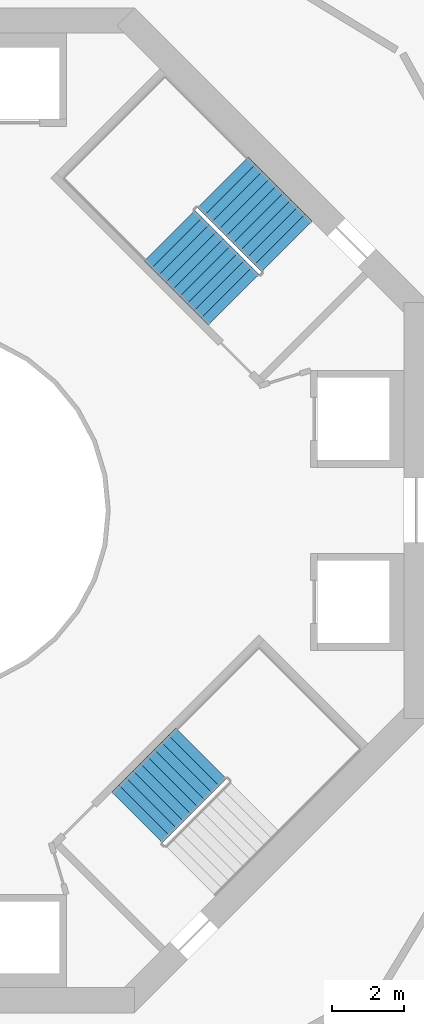
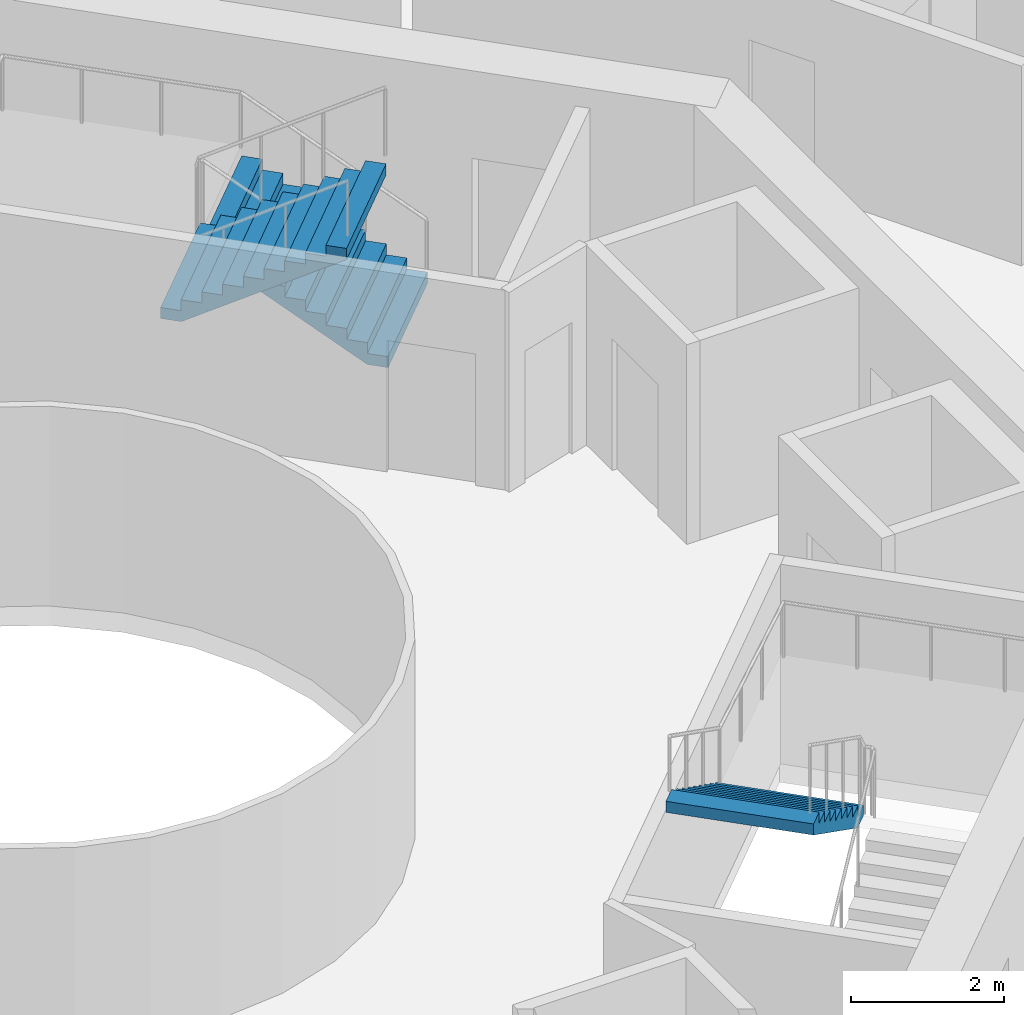
# One storey, part 21 of 22: 3 stair flights, 2 elements without a shape of their own.
"""IFC4 building model written with IfcOpenShell, lengths in metres."""

from ifc_helpers import new_model, si_unit, direction, frame, origin, place, context, subcontext, project, spatial, triangles, material, type_object, element, aggregate, save


model = new_model("IFC4")

# Units and contexts
model_context = context("Model", 3, precision=1e-05, world=origin(), true_north=direction((0.0, 1.0)))
body_context = subcontext(model_context, "Body", "Model", "MODEL_VIEW")
ifc_project = project(units=[si_unit("LENGTHUNIT", "METRE"), si_unit("AREAUNIT", "SQUARE_METRE"), si_unit("VOLUMEUNIT", "CUBIC_METRE"), si_unit("PLANEANGLEUNIT", "RADIAN"), si_unit("MASSUNIT", "GRAM", prefix="KILO")], contexts=[model_context])

# Site, building, storey
site_placement = place(None, origin())
site = spatial("IfcSite", under=ifc_project, at=site_placement, CompositionType="ELEMENT")
building_placement = place(site_placement, origin())
building = spatial("IfcBuilding", under=site, at=building_placement, Name="Verdalira Terraces Hotel", CompositionType="ELEMENT")
storey_placement = place(building_placement, frame((0.0, 0.0, 150.5)))
storey = spatial("IfcBuildingStorey", under=building, at=storey_placement, Name="L36", CompositionType="ELEMENT", Elevation=150.5)

# Stair, stair flights
ifc_material_1 = material(Name="Concrete C40", Category="concrete")
stair_type = type_object("IfcStairType", Name="Core stair 20 risers 2000 mm wide", PredefinedType="HALF_TURN_STAIR", material=ifc_material_1)
stair_1_placement = place(storey_placement, origin())
stair_1 = element("IfcStair", 1, at=stair_1_placement, inside=storey, type_object=stair_type, Name="L36 Exit stair ST1", PredefinedType="HALF_TURN_STAIR")
ifc_material_2 = material(Name="Concrete C40", Category="concrete")
stair_flight_type = type_object("IfcStairFlightType", Name="Core stair flight 20 risers 2000 mm wide", PredefinedType="STRAIGHT", material=ifc_material_2)
stair_flight_1_placement = place(storey_placement, frame((10.041016, 7.354004, 0.0), z_axis=(0.0, 0.0, 1.0), x_axis=(-0.707106781, 0.707106781, 0.0)))
stair_flight_1 = element("IfcStairFlight", 2, at=stair_flight_1_placement, type_object=stair_flight_type, Name="ST1 flight 1", NumberOfRisers=10, NumberOfTreads=9, PredefinedType="STRAIGHT", RiserHeight=0.175, TreadLength=0.28, context=body_context, shape_type="Tessellation", body=[
    triangles([(0.0, 1.0, 0.0), (0.282715, 1.0, 0.0), (2.52002, 1.0, 1.398193), (0.0, -1.0, 0.0), (0.282715, -1.0, 0.0), (2.52002, -1.0, 1.398193), (2.52002, 1.0, 1.574951), (2.23999, 1.0, 1.574951), (2.52002, -1.0, 1.574951), (2.23999, -1.0, 1.574951), (2.23999, 1.0, 1.399902), (2.23999, -1.0, 1.399902), (1.959961, 1.0, 1.399902), (1.959961, -1.0, 1.399902), (1.959961, 1.0, 1.225098), (1.959961, -1.0, 1.225098), (1.679932, 1.0, 1.225098), (1.679932, 1.0, 1.050049), (1.679932, -1.0, 1.225098), (1.679932, -1.0, 1.050049), (1.399902, 1.0, 1.050049), (1.399902, 1.0, 0.875), (1.399902, -1.0, 1.050049), (1.399902, -1.0, 0.875), (1.120117, 1.0, 0.875), (1.120117, 1.0, 0.699951), (1.120117, -1.0, 0.875), (1.120117, -1.0, 0.699951), (0.840088, 1.0, 0.699951), (0.840088, 1.0, 0.524902), (0.840088, -1.0, 0.699951), (0.840088, -1.0, 0.524902), (0.560059, 1.0, 0.524902), (0.560059, 1.0, 0.350098), (0.560059, -1.0, 0.524902), (0.560059, -1.0, 0.350098), (0.280029, 1.0, 0.350098), (0.280029, 1.0, 0.175049), (0.280029, -1.0, 0.350098), (0.280029, -1.0, 0.175049), (0.0, 1.0, 0.175049), (0.0, -1.0, 0.175049), (0.0, -0.9375, 0.0), (0.0, -0.9375, 0.175049), (0.0, -0.875, 0.0), (0.0, -0.875, 0.175049), (0.0, -0.8125, 0.0), (0.0, -0.8125, 0.175049), (0.0, -0.75, 0.0), (0.0, -0.75, 0.175049), (0.0, -0.6875, 0.0), (0.0, -0.6875, 0.175049), (0.0, -0.625, 0.0), (0.0, -0.625, 0.175049), (0.0, -0.5625, 0.0), (0.0, -0.5625, 0.175049), (0.0, -0.5, 0.0), (0.0, -0.5, 0.175049), (0.0, -0.4375, 0.0), (0.0, -0.4375, 0.175049), (0.0, -0.375, 0.0), (0.0, -0.375, 0.175049), (0.0, -0.3125, 0.0), (0.0, -0.3125, 0.175049), (0.0, -0.25, 0.0), (0.0, -0.25, 0.175049), (0.0, -0.1875, 0.0), (0.0, -0.1875, 0.175049), (0.0, -0.125, 0.0), (0.0, -0.125, 0.175049), (0.0, -0.0625, 0.0), (0.0, -0.0625, 0.175049), (0.0, 0.0, 0.0), (0.0, 0.0, 0.175049), (0.0, 0.0625, 0.0), (0.0, 0.0625, 0.175049), (0.0, 0.125, 0.0), (0.0, 0.125, 0.175049), (0.0, 0.1875, 0.0), (0.0, 0.1875, 0.175049), (0.0, 0.25, 0.0), (0.0, 0.25, 0.175049), (0.0, 0.3125, 0.0), (0.0, 0.3125, 0.175049), (0.0, 0.375, 0.0), (0.0, 0.375, 0.175049), (0.0, 0.4375, 0.0), (0.0, 0.4375, 0.175049), (0.0, 0.5, 0.0), (0.0, 0.5, 0.175049), (0.0, 0.5625, 0.0), (0.0, 0.5625, 0.175049), (0.0, 0.625, 0.0), (0.0, 0.625, 0.175049), (0.0, 0.6875, 0.0), (0.0, 0.6875, 0.175049), (0.0, 0.75, 0.0), (0.0, 0.75, 0.175049), (0.0, 0.8125, 0.0), (0.0, 0.8125, 0.175049), (0.0, 0.875, 0.0), (0.0, 0.875, 0.175049), (0.0, 0.9375, 0.0), (0.0, 0.9375, 0.175049), (2.52002, -0.9375, 1.574951), (2.52002, -0.875, 1.574951), (2.52002, -0.8125, 1.574951), (2.52002, -0.75, 1.574951), (2.52002, -0.6875, 1.574951), (2.52002, -0.625, 1.574951), (2.52002, -0.5625, 1.574951), (2.52002, -0.5, 1.574951), (2.52002, -0.4375, 1.574951), (2.52002, -0.375, 1.574951), (2.52002, -0.3125, 1.574951), (2.52002, -0.25, 1.574951), (2.52002, -0.1875, 1.574951), (2.52002, -0.125, 1.574951), (2.52002, -0.0625, 1.574951), (2.52002, 0.0, 1.574951), (2.52002, 0.0625, 1.574951), (2.52002, 0.125, 1.574951), (2.52002, 0.1875, 1.574951), (2.52002, 0.25, 1.574951), (2.52002, 0.3125, 1.574951), (2.52002, 0.375, 1.574951), (2.52002, 0.4375, 1.574951), (2.52002, 0.5, 1.574951), (2.52002, 0.5625, 1.574951), (2.52002, 0.625, 1.574951), (2.52002, 0.6875, 1.574951), (2.52002, 0.75, 1.574951), (2.52002, 0.8125, 1.574951), (2.52002, 0.875, 1.574951), (2.52002, 0.9375, 1.574951), (2.52002, -0.9375, 1.398193), (2.52002, -0.875, 1.398193), (2.52002, -0.8125, 1.398193), (2.52002, -0.75, 1.398193), (2.52002, -0.6875, 1.398193), (2.52002, -0.625, 1.398193), (2.52002, -0.5625, 1.398193), (2.52002, -0.5, 1.398193), (2.52002, -0.4375, 1.398193), (2.52002, -0.375, 1.398193), (2.52002, -0.3125, 1.398193), (2.52002, -0.25, 1.398193), (2.52002, -0.1875, 1.398193), (2.52002, -0.125, 1.398193), (2.52002, -0.0625, 1.398193), (2.52002, 0.0, 1.398193), (2.52002, 0.0625, 1.398193), (2.52002, 0.125, 1.398193), (2.52002, 0.1875, 1.398193), (2.52002, 0.25, 1.398193), (2.52002, 0.3125, 1.398193), (2.52002, 0.375, 1.398193), (2.52002, 0.4375, 1.398193), (2.52002, 0.5, 1.398193), (2.52002, 0.5625, 1.398193), (2.52002, 0.625, 1.398193), (2.52002, 0.6875, 1.398193), (2.52002, 0.75, 1.398193), (2.52002, 0.8125, 1.398193), (2.52002, 0.875, 1.398193), (2.52002, 0.9375, 1.398193)], [[1, 3, 2], [4, 5, 6], [3, 8, 7], [6, 9, 10], [3, 11, 8], [6, 10, 12], [3, 13, 11], [6, 12, 14], [3, 15, 13], [6, 14, 16], [15, 18, 17], [16, 19, 20], [3, 18, 15], [6, 16, 20], [18, 22, 21], [20, 23, 24], [3, 22, 18], [6, 20, 24], [22, 26, 25], [24, 27, 28], [3, 26, 22], [6, 24, 28], [26, 30, 29], [28, 31, 32], [3, 30, 26], [6, 28, 32], [1, 30, 3], [4, 6, 32], [30, 34, 33], [32, 35, 36], [34, 38, 37], [36, 39, 40], [30, 38, 34], [32, 36, 40], [1, 38, 30], [4, 32, 40], [38, 1, 41], [40, 42, 4], [4, 44, 43], [4, 42, 44], [43, 46, 45], [43, 44, 46], [45, 48, 47], [45, 46, 48], [47, 50, 49], [47, 48, 50], [49, 52, 51], [49, 50, 52], [51, 54, 53], [51, 52, 54], [53, 56, 55], [53, 54, 56], [55, 58, 57], [55, 56, 58], [57, 60, 59], [57, 58, 60], [59, 62, 61], [59, 60, 62], [61, 64, 63], [61, 62, 64], [63, 66, 65], [63, 64, 66], [65, 68, 67], [65, 66, 68], [67, 70, 69], [67, 68, 70], [69, 72, 71], [69, 70, 72], [71, 74, 73], [71, 72, 74], [73, 76, 75], [73, 74, 76], [75, 78, 77], [75, 76, 78], [77, 80, 79], [77, 78, 80], [79, 82, 81], [79, 80, 82], [81, 84, 83], [81, 82, 84], [83, 86, 85], [83, 84, 86], [85, 88, 87], [85, 86, 88], [87, 90, 89], [87, 88, 90], [89, 92, 91], [89, 90, 92], [91, 94, 93], [91, 92, 94], [93, 96, 95], [93, 94, 96], [95, 98, 97], [95, 96, 98], [97, 100, 99], [97, 98, 100], [99, 102, 101], [99, 100, 102], [101, 104, 103], [101, 102, 104], [103, 41, 1], [103, 104, 41], [42, 40, 44], [44, 40, 46], [46, 40, 48], [48, 40, 50], [50, 40, 52], [52, 40, 54], [54, 40, 56], [56, 40, 58], [58, 40, 60], [60, 40, 62], [62, 40, 64], [64, 40, 66], [66, 40, 68], [68, 40, 70], [70, 40, 72], [72, 40, 74], [74, 40, 76], [76, 40, 78], [78, 40, 80], [80, 40, 82], [82, 40, 84], [84, 40, 86], [86, 40, 88], [88, 40, 90], [90, 40, 92], [92, 40, 94], [94, 40, 96], [96, 40, 98], [98, 40, 100], [100, 40, 102], [102, 40, 104], [104, 40, 41], [41, 40, 38], [40, 37, 38], [40, 39, 37], [39, 34, 37], [39, 36, 34], [36, 33, 34], [36, 35, 33], [35, 30, 33], [35, 32, 30], [32, 29, 30], [32, 31, 29], [31, 26, 29], [31, 28, 26], [28, 25, 26], [28, 27, 25], [27, 22, 25], [27, 24, 22], [24, 21, 22], [24, 23, 21], [23, 18, 21], [23, 20, 18], [20, 17, 18], [20, 19, 17], [19, 15, 17], [19, 16, 15], [16, 13, 15], [16, 14, 13], [14, 11, 13], [14, 12, 11], [12, 8, 11], [12, 10, 8], [9, 105, 10], [105, 106, 10], [106, 107, 10], [107, 108, 10], [108, 109, 10], [109, 110, 10], [110, 111, 10], [111, 112, 10], [112, 113, 10], [113, 114, 10], [114, 115, 10], [115, 116, 10], [116, 117, 10], [117, 118, 10], [118, 119, 10], [119, 120, 10], [120, 121, 10], [121, 122, 10], [122, 123, 10], [123, 124, 10], [124, 125, 10], [125, 126, 10], [126, 127, 10], [127, 128, 10], [128, 129, 10], [129, 130, 10], [130, 131, 10], [131, 132, 10], [132, 133, 10], [133, 134, 10], [134, 135, 10], [135, 7, 10], [7, 8, 10], [9, 136, 105], [9, 6, 136], [105, 137, 106], [105, 136, 137], [106, 138, 107], [106, 137, 138], [107, 139, 108], [107, 138, 139], [108, 140, 109], [108, 139, 140], [109, 141, 110], [109, 140, 141], [110, 142, 111], [110, 141, 142], [111, 143, 112], [111, 142, 143], [112, 144, 113], [112, 143, 144], [113, 145, 114], [113, 144, 145], [114, 146, 115], [114, 145, 146], [115, 147, 116], [115, 146, 147], [116, 148, 117], [116, 147, 148], [117, 149, 118], [117, 148, 149], [118, 150, 119], [118, 149, 150], [119, 151, 120], [119, 150, 151], [120, 152, 121], [120, 151, 152], [121, 153, 122], [121, 152, 153], [122, 154, 123], [122, 153, 154], [123, 155, 124], [123, 154, 155], [124, 156, 125], [124, 155, 156], [125, 157, 126], [125, 156, 157], [126, 158, 127], [126, 157, 158], [127, 159, 128], [127, 158, 159], [128, 160, 129], [128, 159, 160], [129, 161, 130], [129, 160, 161], [130, 162, 131], [130, 161, 162], [131, 163, 132], [131, 162, 163], [132, 164, 133], [132, 163, 164], [133, 165, 134], [133, 164, 165], [134, 166, 135], [134, 165, 166], [135, 3, 7], [135, 166, 3], [6, 5, 136], [136, 5, 137], [137, 5, 138], [138, 5, 139], [139, 5, 140], [140, 5, 141], [141, 5, 142], [142, 5, 143], [143, 5, 144], [144, 5, 145], [145, 5, 146], [146, 5, 147], [147, 5, 148], [148, 5, 149], [149, 5, 150], [150, 5, 151], [151, 5, 152], [152, 5, 153], [153, 5, 154], [154, 5, 155], [155, 5, 156], [156, 5, 157], [157, 5, 158], [158, 5, 159], [159, 5, 160], [160, 5, 161], [161, 5, 162], [162, 5, 163], [163, 5, 164], [164, 5, 165], [165, 5, 166], [166, 5, 3], [3, 5, 2], [4, 43, 5], [43, 45, 5], [45, 47, 5], [47, 49, 5], [49, 51, 5], [51, 53, 5], [53, 55, 5], [55, 57, 5], [57, 59, 5], [59, 61, 5], [61, 63, 5], [63, 65, 5], [65, 67, 5], [67, 69, 5], [69, 71, 5], [71, 73, 5], [73, 75, 5], [75, 77, 5], [77, 79, 5], [79, 81, 5], [81, 83, 5], [83, 85, 5], [85, 87, 5], [87, 89, 5], [89, 91, 5], [91, 93, 5], [93, 95, 5], [95, 97, 5], [97, 99, 5], [99, 101, 5], [101, 103, 5], [103, 1, 5], [1, 2, 5]], closed=True),
])
stair_flight_2_placement = place(storey_placement, frame((6.77417, 7.650879, 1.75), z_axis=(0.0, 0.0, 1.0), x_axis=(0.707106781, -0.707106781, 0.0)))
stair_flight_2 = element("IfcStairFlight", 3, at=stair_flight_2_placement, type_object=stair_flight_type, Name="ST1 flight 2", NumberOfRisers=10, NumberOfTreads=9, PredefinedType="STRAIGHT", RiserHeight=0.175, TreadLength=0.28, context=body_context, shape_type="Tessellation", body=[
    triangles([(0.0, 1.0, 0.0), (0.282715, 1.0, 0.0), (2.52002, 1.0, 1.398193), (0.0, -1.0, 0.0), (0.282715, -1.0, 0.0), (2.52002, -1.0, 1.398193), (2.52002, 1.0, 1.574951), (2.23999, 1.0, 1.574951), (2.52002, -1.0, 1.574951), (2.23999, -1.0, 1.574951), (2.23999, 1.0, 1.399902), (2.23999, -1.0, 1.399902), (1.959961, 1.0, 1.399902), (1.959961, -1.0, 1.399902), (1.959961, 1.0, 1.225098), (1.959961, -1.0, 1.225098), (1.679932, 1.0, 1.225098), (1.679932, 1.0, 1.050049), (1.679932, -1.0, 1.225098), (1.679932, -1.0, 1.050049), (1.399902, 1.0, 1.050049), (1.399902, 1.0, 0.875), (1.399902, -1.0, 1.050049), (1.399902, -1.0, 0.875), (1.120117, 1.0, 0.875), (1.120117, 1.0, 0.699951), (1.120117, -1.0, 0.875), (1.120117, -1.0, 0.699951), (0.840088, 1.0, 0.699951), (0.840088, 1.0, 0.524902), (0.840088, -1.0, 0.699951), (0.840088, -1.0, 0.524902), (0.560059, 1.0, 0.524902), (0.560059, 1.0, 0.350098), (0.560059, -1.0, 0.524902), (0.560059, -1.0, 0.350098), (0.280029, 1.0, 0.350098), (0.280029, 1.0, 0.175049), (0.280029, -1.0, 0.350098), (0.280029, -1.0, 0.175049), (0.0, 1.0, 0.175049), (0.0, -1.0, 0.175049), (0.0, -0.9375, 0.0), (0.0, -0.9375, 0.175049), (0.0, -0.875, 0.0), (0.0, -0.875, 0.175049), (0.0, -0.8125, 0.0), (0.0, -0.8125, 0.175049), (0.0, -0.75, 0.0), (0.0, -0.75, 0.175049), (0.0, -0.6875, 0.0), (0.0, -0.6875, 0.175049), (0.0, -0.625, 0.0), (0.0, -0.625, 0.175049), (0.0, -0.5625, 0.0), (0.0, -0.5625, 0.175049), (0.0, -0.5, 0.0), (0.0, -0.5, 0.175049), (0.0, -0.4375, 0.0), (0.0, -0.4375, 0.175049), (0.0, -0.375, 0.0), (0.0, -0.375, 0.175049), (0.0, -0.3125, 0.0), (0.0, -0.3125, 0.175049), (0.0, -0.25, 0.0), (0.0, -0.25, 0.175049), (0.0, -0.1875, 0.0), (0.0, -0.1875, 0.175049), (0.0, -0.125, 0.0), (0.0, -0.125, 0.175049), (0.0, -0.0625, 0.0), (0.0, -0.0625, 0.175049), (0.0, 0.0, 0.0), (0.0, 0.0, 0.175049), (0.0, 0.0625, 0.0), (0.0, 0.0625, 0.175049), (0.0, 0.125, 0.0), (0.0, 0.125, 0.175049), (0.0, 0.1875, 0.0), (0.0, 0.1875, 0.175049), (0.0, 0.25, 0.0), (0.0, 0.25, 0.175049), (0.0, 0.3125, 0.0), (0.0, 0.3125, 0.175049), (0.0, 0.375, 0.0), (0.0, 0.375, 0.175049), (0.0, 0.4375, 0.0), (0.0, 0.4375, 0.175049), (0.0, 0.5, 0.0), (0.0, 0.5, 0.175049), (0.0, 0.5625, 0.0), (0.0, 0.5625, 0.175049), (0.0, 0.625, 0.0), (0.0, 0.625, 0.175049), (0.0, 0.6875, 0.0), (0.0, 0.6875, 0.175049), (0.0, 0.75, 0.0), (0.0, 0.75, 0.175049), (0.0, 0.8125, 0.0), (0.0, 0.8125, 0.175049), (0.0, 0.875, 0.0), (0.0, 0.875, 0.175049), (0.0, 0.9375, 0.0), (0.0, 0.9375, 0.175049), (2.52002, -0.9375, 1.574951), (2.52002, -0.875, 1.574951), (2.52002, -0.8125, 1.574951), (2.52002, -0.75, 1.574951), (2.52002, -0.6875, 1.574951), (2.52002, -0.625, 1.574951), (2.52002, -0.5625, 1.574951), (2.52002, -0.5, 1.574951), (2.52002, -0.4375, 1.574951), (2.52002, -0.375, 1.574951), (2.52002, -0.3125, 1.574951), (2.52002, -0.25, 1.574951), (2.52002, -0.1875, 1.574951), (2.52002, -0.125, 1.574951), (2.52002, -0.0625, 1.574951), (2.52002, 0.0, 1.574951), (2.52002, 0.0625, 1.574951), (2.52002, 0.125, 1.574951), (2.52002, 0.1875, 1.574951), (2.52002, 0.25, 1.574951), (2.52002, 0.3125, 1.574951), (2.52002, 0.375, 1.574951), (2.52002, 0.4375, 1.574951), (2.52002, 0.5, 1.574951), (2.52002, 0.5625, 1.574951), (2.52002, 0.625, 1.574951), (2.52002, 0.6875, 1.574951), (2.52002, 0.75, 1.574951), (2.52002, 0.8125, 1.574951), (2.52002, 0.875, 1.574951), (2.52002, 0.9375, 1.574951), (2.52002, -0.9375, 1.398193), (2.52002, -0.875, 1.398193), (2.52002, -0.8125, 1.398193), (2.52002, -0.75, 1.398193), (2.52002, -0.6875, 1.398193), (2.52002, -0.625, 1.398193), (2.52002, -0.5625, 1.398193), (2.52002, -0.5, 1.398193), (2.52002, -0.4375, 1.398193), (2.52002, -0.375, 1.398193), (2.52002, -0.3125, 1.398193), (2.52002, -0.25, 1.398193), (2.52002, -0.1875, 1.398193), (2.52002, -0.125, 1.398193), (2.52002, -0.0625, 1.398193), (2.52002, 0.0, 1.398193), (2.52002, 0.0625, 1.398193), (2.52002, 0.125, 1.398193), (2.52002, 0.1875, 1.398193), (2.52002, 0.25, 1.398193), (2.52002, 0.3125, 1.398193), (2.52002, 0.375, 1.398193), (2.52002, 0.4375, 1.398193), (2.52002, 0.5, 1.398193), (2.52002, 0.5625, 1.398193), (2.52002, 0.625, 1.398193), (2.52002, 0.6875, 1.398193), (2.52002, 0.75, 1.398193), (2.52002, 0.8125, 1.398193), (2.52002, 0.875, 1.398193), (2.52002, 0.9375, 1.398193)], [[1, 3, 2], [4, 5, 6], [3, 8, 7], [6, 9, 10], [3, 11, 8], [6, 10, 12], [3, 13, 11], [6, 12, 14], [3, 15, 13], [6, 14, 16], [15, 18, 17], [16, 19, 20], [3, 18, 15], [6, 16, 20], [18, 22, 21], [20, 23, 24], [3, 22, 18], [6, 20, 24], [22, 26, 25], [24, 27, 28], [3, 26, 22], [6, 24, 28], [26, 30, 29], [28, 31, 32], [3, 30, 26], [6, 28, 32], [1, 30, 3], [4, 6, 32], [30, 34, 33], [32, 35, 36], [34, 38, 37], [36, 39, 40], [30, 38, 34], [32, 36, 40], [1, 38, 30], [4, 32, 40], [38, 1, 41], [40, 42, 4], [4, 44, 43], [4, 42, 44], [43, 46, 45], [43, 44, 46], [45, 48, 47], [45, 46, 48], [47, 50, 49], [47, 48, 50], [49, 52, 51], [49, 50, 52], [51, 54, 53], [51, 52, 54], [53, 56, 55], [53, 54, 56], [55, 58, 57], [55, 56, 58], [57, 60, 59], [57, 58, 60], [59, 62, 61], [59, 60, 62], [61, 64, 63], [61, 62, 64], [63, 66, 65], [63, 64, 66], [65, 68, 67], [65, 66, 68], [67, 70, 69], [67, 68, 70], [69, 72, 71], [69, 70, 72], [71, 74, 73], [71, 72, 74], [73, 76, 75], [73, 74, 76], [75, 78, 77], [75, 76, 78], [77, 80, 79], [77, 78, 80], [79, 82, 81], [79, 80, 82], [81, 84, 83], [81, 82, 84], [83, 86, 85], [83, 84, 86], [85, 88, 87], [85, 86, 88], [87, 90, 89], [87, 88, 90], [89, 92, 91], [89, 90, 92], [91, 94, 93], [91, 92, 94], [93, 96, 95], [93, 94, 96], [95, 98, 97], [95, 96, 98], [97, 100, 99], [97, 98, 100], [99, 102, 101], [99, 100, 102], [101, 104, 103], [101, 102, 104], [103, 41, 1], [103, 104, 41], [42, 40, 44], [44, 40, 46], [46, 40, 48], [48, 40, 50], [50, 40, 52], [52, 40, 54], [54, 40, 56], [56, 40, 58], [58, 40, 60], [60, 40, 62], [62, 40, 64], [64, 40, 66], [66, 40, 68], [68, 40, 70], [70, 40, 72], [72, 40, 74], [74, 40, 76], [76, 40, 78], [78, 40, 80], [80, 40, 82], [82, 40, 84], [84, 40, 86], [86, 40, 88], [88, 40, 90], [90, 40, 92], [92, 40, 94], [94, 40, 96], [96, 40, 98], [98, 40, 100], [100, 40, 102], [102, 40, 104], [104, 40, 41], [41, 40, 38], [40, 37, 38], [40, 39, 37], [39, 34, 37], [39, 36, 34], [36, 33, 34], [36, 35, 33], [35, 30, 33], [35, 32, 30], [32, 29, 30], [32, 31, 29], [31, 26, 29], [31, 28, 26], [28, 25, 26], [28, 27, 25], [27, 22, 25], [27, 24, 22], [24, 21, 22], [24, 23, 21], [23, 18, 21], [23, 20, 18], [20, 17, 18], [20, 19, 17], [19, 15, 17], [19, 16, 15], [16, 13, 15], [16, 14, 13], [14, 11, 13], [14, 12, 11], [12, 8, 11], [12, 10, 8], [9, 105, 10], [105, 106, 10], [106, 107, 10], [107, 108, 10], [108, 109, 10], [109, 110, 10], [110, 111, 10], [111, 112, 10], [112, 113, 10], [113, 114, 10], [114, 115, 10], [115, 116, 10], [116, 117, 10], [117, 118, 10], [118, 119, 10], [119, 120, 10], [120, 121, 10], [121, 122, 10], [122, 123, 10], [123, 124, 10], [124, 125, 10], [125, 126, 10], [126, 127, 10], [127, 128, 10], [128, 129, 10], [129, 130, 10], [130, 131, 10], [131, 132, 10], [132, 133, 10], [133, 134, 10], [134, 135, 10], [135, 7, 10], [7, 8, 10], [9, 136, 105], [9, 6, 136], [105, 137, 106], [105, 136, 137], [106, 138, 107], [106, 137, 138], [107, 139, 108], [107, 138, 139], [108, 140, 109], [108, 139, 140], [109, 141, 110], [109, 140, 141], [110, 142, 111], [110, 141, 142], [111, 143, 112], [111, 142, 143], [112, 144, 113], [112, 143, 144], [113, 145, 114], [113, 144, 145], [114, 146, 115], [114, 145, 146], [115, 147, 116], [115, 146, 147], [116, 148, 117], [116, 147, 148], [117, 149, 118], [117, 148, 149], [118, 150, 119], [118, 149, 150], [119, 151, 120], [119, 150, 151], [120, 152, 121], [120, 151, 152], [121, 153, 122], [121, 152, 153], [122, 154, 123], [122, 153, 154], [123, 155, 124], [123, 154, 155], [124, 156, 125], [124, 155, 156], [125, 157, 126], [125, 156, 157], [126, 158, 127], [126, 157, 158], [127, 159, 128], [127, 158, 159], [128, 160, 129], [128, 159, 160], [129, 161, 130], [129, 160, 161], [130, 162, 131], [130, 161, 162], [131, 163, 132], [131, 162, 163], [132, 164, 133], [132, 163, 164], [133, 165, 134], [133, 164, 165], [134, 166, 135], [134, 165, 166], [135, 3, 7], [135, 166, 3], [6, 5, 136], [136, 5, 137], [137, 5, 138], [138, 5, 139], [139, 5, 140], [140, 5, 141], [141, 5, 142], [142, 5, 143], [143, 5, 144], [144, 5, 145], [145, 5, 146], [146, 5, 147], [147, 5, 148], [148, 5, 149], [149, 5, 150], [150, 5, 151], [151, 5, 152], [152, 5, 153], [153, 5, 154], [154, 5, 155], [155, 5, 156], [156, 5, 157], [157, 5, 158], [158, 5, 159], [159, 5, 160], [160, 5, 161], [161, 5, 162], [162, 5, 163], [163, 5, 164], [164, 5, 165], [165, 5, 166], [166, 5, 3], [3, 5, 2], [4, 43, 5], [43, 45, 5], [45, 47, 5], [47, 49, 5], [49, 51, 5], [51, 53, 5], [53, 55, 5], [55, 57, 5], [57, 59, 5], [59, 61, 5], [61, 63, 5], [63, 65, 5], [65, 67, 5], [67, 69, 5], [69, 71, 5], [71, 73, 5], [73, 75, 5], [75, 77, 5], [77, 79, 5], [79, 81, 5], [81, 83, 5], [83, 85, 5], [85, 87, 5], [87, 89, 5], [89, 91, 5], [91, 93, 5], [93, 95, 5], [95, 97, 5], [97, 99, 5], [99, 101, 5], [101, 103, 5], [103, 1, 5], [1, 2, 5]], closed=True),
])
aggregate(stair_1, [stair_flight_1, stair_flight_2])

# Stair, stair flight
stair_2_placement = place(storey_placement, origin())
stair_2 = element("IfcStair", 4, at=stair_2_placement, inside=storey, type_object=stair_type, Name="L36 Exit stair ST3", PredefinedType="HALF_TURN_STAIR")
stair_flight_3_placement = place(storey_placement, frame((7.650879, -6.77417, 1.75), z_axis=(0.0, 0.0, 1.0), x_axis=(-0.707106781, -0.707106781, 0.0)))
stair_flight_3 = element("IfcStairFlight", 5, at=stair_flight_3_placement, type_object=stair_flight_type, Name="ST3 flight 2", NumberOfRisers=10, NumberOfTreads=9, PredefinedType="STRAIGHT", RiserHeight=0.175, TreadLength=0.28, context=body_context, shape_type="Tessellation", body=[
    triangles([(0.0, 1.0, 0.0), (0.282715, 1.0, 0.0), (2.52002, 1.0, 1.398193), (0.0, -1.0, 0.0), (0.282715, -1.0, 0.0), (2.52002, -1.0, 1.398193), (2.52002, 1.0, 1.574951), (2.23999, 1.0, 1.574951), (2.52002, -1.0, 1.574951), (2.23999, -1.0, 1.574951), (2.23999, 1.0, 1.399902), (2.23999, -1.0, 1.399902), (1.959961, 1.0, 1.399902), (1.959961, -1.0, 1.399902), (1.959961, 1.0, 1.225098), (1.959961, -1.0, 1.225098), (1.679932, 1.0, 1.225098), (1.679932, 1.0, 1.050049), (1.679932, -1.0, 1.225098), (1.679932, -1.0, 1.050049), (1.399902, 1.0, 1.050049), (1.399902, 1.0, 0.875), (1.399902, -1.0, 1.050049), (1.399902, -1.0, 0.875), (1.120117, 1.0, 0.875), (1.120117, 1.0, 0.699951), (1.120117, -1.0, 0.875), (1.120117, -1.0, 0.699951), (0.840088, 1.0, 0.699951), (0.840088, 1.0, 0.524902), (0.840088, -1.0, 0.699951), (0.840088, -1.0, 0.524902), (0.560059, 1.0, 0.524902), (0.560059, 1.0, 0.350098), (0.560059, -1.0, 0.524902), (0.560059, -1.0, 0.350098), (0.280029, 1.0, 0.350098), (0.280029, 1.0, 0.175049), (0.280029, -1.0, 0.350098), (0.280029, -1.0, 0.175049), (0.0, 1.0, 0.175049), (0.0, -1.0, 0.175049), (0.0, -0.9375, 0.0), (0.0, -0.9375, 0.175049), (0.0, -0.875, 0.0), (0.0, -0.875, 0.175049), (0.0, -0.8125, 0.0), (0.0, -0.8125, 0.175049), (0.0, -0.75, 0.0), (0.0, -0.75, 0.175049), (0.0, -0.6875, 0.0), (0.0, -0.6875, 0.175049), (0.0, -0.625, 0.0), (0.0, -0.625, 0.175049), (0.0, -0.5625, 0.0), (0.0, -0.5625, 0.175049), (0.0, -0.5, 0.0), (0.0, -0.5, 0.175049), (0.0, -0.4375, 0.0), (0.0, -0.4375, 0.175049), (0.0, -0.375, 0.0), (0.0, -0.375, 0.175049), (0.0, -0.3125, 0.0), (0.0, -0.3125, 0.175049), (0.0, -0.25, 0.0), (0.0, -0.25, 0.175049), (0.0, -0.1875, 0.0), (0.0, -0.1875, 0.175049), (0.0, -0.125, 0.0), (0.0, -0.125, 0.175049), (0.0, -0.0625, 0.0), (0.0, -0.0625, 0.175049), (0.0, 0.0, 0.0), (0.0, 0.0, 0.175049), (0.0, 0.0625, 0.0), (0.0, 0.0625, 0.175049), (0.0, 0.125, 0.0), (0.0, 0.125, 0.175049), (0.0, 0.1875, 0.0), (0.0, 0.1875, 0.175049), (0.0, 0.25, 0.0), (0.0, 0.25, 0.175049), (0.0, 0.3125, 0.0), (0.0, 0.3125, 0.175049), (0.0, 0.375, 0.0), (0.0, 0.375, 0.175049), (0.0, 0.4375, 0.0), (0.0, 0.4375, 0.175049), (0.0, 0.5, 0.0), (0.0, 0.5, 0.175049), (0.0, 0.5625, 0.0), (0.0, 0.5625, 0.175049), (0.0, 0.625, 0.0), (0.0, 0.625, 0.175049), (0.0, 0.6875, 0.0), (0.0, 0.6875, 0.175049), (0.0, 0.75, 0.0), (0.0, 0.75, 0.175049), (0.0, 0.8125, 0.0), (0.0, 0.8125, 0.175049), (0.0, 0.875, 0.0), (0.0, 0.875, 0.175049), (0.0, 0.9375, 0.0), (0.0, 0.9375, 0.175049), (2.52002, -0.9375, 1.574951), (2.52002, -0.875, 1.574951), (2.52002, -0.8125, 1.574951), (2.52002, -0.75, 1.574951), (2.52002, -0.6875, 1.574951), (2.52002, -0.625, 1.574951), (2.52002, -0.5625, 1.574951), (2.52002, -0.5, 1.574951), (2.52002, -0.4375, 1.574951), (2.52002, -0.375, 1.574951), (2.52002, -0.3125, 1.574951), (2.52002, -0.25, 1.574951), (2.52002, -0.1875, 1.574951), (2.52002, -0.125, 1.574951), (2.52002, -0.0625, 1.574951), (2.52002, 0.0, 1.574951), (2.52002, 0.0625, 1.574951), (2.52002, 0.125, 1.574951), (2.52002, 0.1875, 1.574951), (2.52002, 0.25, 1.574951), (2.52002, 0.3125, 1.574951), (2.52002, 0.375, 1.574951), (2.52002, 0.4375, 1.574951), (2.52002, 0.5, 1.574951), (2.52002, 0.5625, 1.574951), (2.52002, 0.625, 1.574951), (2.52002, 0.6875, 1.574951), (2.52002, 0.75, 1.574951), (2.52002, 0.8125, 1.574951), (2.52002, 0.875, 1.574951), (2.52002, 0.9375, 1.574951), (2.52002, -0.9375, 1.398193), (2.52002, -0.875, 1.398193), (2.52002, -0.8125, 1.398193), (2.52002, -0.75, 1.398193), (2.52002, -0.6875, 1.398193), (2.52002, -0.625, 1.398193), (2.52002, -0.5625, 1.398193), (2.52002, -0.5, 1.398193), (2.52002, -0.4375, 1.398193), (2.52002, -0.375, 1.398193), (2.52002, -0.3125, 1.398193), (2.52002, -0.25, 1.398193), (2.52002, -0.1875, 1.398193), (2.52002, -0.125, 1.398193), (2.52002, -0.0625, 1.398193), (2.52002, 0.0, 1.398193), (2.52002, 0.0625, 1.398193), (2.52002, 0.125, 1.398193), (2.52002, 0.1875, 1.398193), (2.52002, 0.25, 1.398193), (2.52002, 0.3125, 1.398193), (2.52002, 0.375, 1.398193), (2.52002, 0.4375, 1.398193), (2.52002, 0.5, 1.398193), (2.52002, 0.5625, 1.398193), (2.52002, 0.625, 1.398193), (2.52002, 0.6875, 1.398193), (2.52002, 0.75, 1.398193), (2.52002, 0.8125, 1.398193), (2.52002, 0.875, 1.398193), (2.52002, 0.9375, 1.398193)], [[1, 3, 2], [4, 5, 6], [3, 8, 7], [6, 9, 10], [3, 11, 8], [6, 10, 12], [3, 13, 11], [6, 12, 14], [3, 15, 13], [6, 14, 16], [15, 18, 17], [16, 19, 20], [3, 18, 15], [6, 16, 20], [18, 22, 21], [20, 23, 24], [3, 22, 18], [6, 20, 24], [22, 26, 25], [24, 27, 28], [3, 26, 22], [6, 24, 28], [26, 30, 29], [28, 31, 32], [3, 30, 26], [6, 28, 32], [1, 30, 3], [4, 6, 32], [30, 34, 33], [32, 35, 36], [34, 38, 37], [36, 39, 40], [30, 38, 34], [32, 36, 40], [1, 38, 30], [4, 32, 40], [38, 1, 41], [40, 42, 4], [4, 44, 43], [4, 42, 44], [43, 46, 45], [43, 44, 46], [45, 48, 47], [45, 46, 48], [47, 50, 49], [47, 48, 50], [49, 52, 51], [49, 50, 52], [51, 54, 53], [51, 52, 54], [53, 56, 55], [53, 54, 56], [55, 58, 57], [55, 56, 58], [57, 60, 59], [57, 58, 60], [59, 62, 61], [59, 60, 62], [61, 64, 63], [61, 62, 64], [63, 66, 65], [63, 64, 66], [65, 68, 67], [65, 66, 68], [67, 70, 69], [67, 68, 70], [69, 72, 71], [69, 70, 72], [71, 74, 73], [71, 72, 74], [73, 76, 75], [73, 74, 76], [75, 78, 77], [75, 76, 78], [77, 80, 79], [77, 78, 80], [79, 82, 81], [79, 80, 82], [81, 84, 83], [81, 82, 84], [83, 86, 85], [83, 84, 86], [85, 88, 87], [85, 86, 88], [87, 90, 89], [87, 88, 90], [89, 92, 91], [89, 90, 92], [91, 94, 93], [91, 92, 94], [93, 96, 95], [93, 94, 96], [95, 98, 97], [95, 96, 98], [97, 100, 99], [97, 98, 100], [99, 102, 101], [99, 100, 102], [101, 104, 103], [101, 102, 104], [103, 41, 1], [103, 104, 41], [42, 40, 44], [44, 40, 46], [46, 40, 48], [48, 40, 50], [50, 40, 52], [52, 40, 54], [54, 40, 56], [56, 40, 58], [58, 40, 60], [60, 40, 62], [62, 40, 64], [64, 40, 66], [66, 40, 68], [68, 40, 70], [70, 40, 72], [72, 40, 74], [74, 40, 76], [76, 40, 78], [78, 40, 80], [80, 40, 82], [82, 40, 84], [84, 40, 86], [86, 40, 88], [88, 40, 90], [90, 40, 92], [92, 40, 94], [94, 40, 96], [96, 40, 98], [98, 40, 100], [100, 40, 102], [102, 40, 104], [104, 40, 41], [41, 40, 38], [40, 37, 38], [40, 39, 37], [39, 34, 37], [39, 36, 34], [36, 33, 34], [36, 35, 33], [35, 30, 33], [35, 32, 30], [32, 29, 30], [32, 31, 29], [31, 26, 29], [31, 28, 26], [28, 25, 26], [28, 27, 25], [27, 22, 25], [27, 24, 22], [24, 21, 22], [24, 23, 21], [23, 18, 21], [23, 20, 18], [20, 17, 18], [20, 19, 17], [19, 15, 17], [19, 16, 15], [16, 13, 15], [16, 14, 13], [14, 11, 13], [14, 12, 11], [12, 8, 11], [12, 10, 8], [9, 105, 10], [105, 106, 10], [106, 107, 10], [107, 108, 10], [108, 109, 10], [109, 110, 10], [110, 111, 10], [111, 112, 10], [112, 113, 10], [113, 114, 10], [114, 115, 10], [115, 116, 10], [116, 117, 10], [117, 118, 10], [118, 119, 10], [119, 120, 10], [120, 121, 10], [121, 122, 10], [122, 123, 10], [123, 124, 10], [124, 125, 10], [125, 126, 10], [126, 127, 10], [127, 128, 10], [128, 129, 10], [129, 130, 10], [130, 131, 10], [131, 132, 10], [132, 133, 10], [133, 134, 10], [134, 135, 10], [135, 7, 10], [7, 8, 10], [9, 136, 105], [9, 6, 136], [105, 137, 106], [105, 136, 137], [106, 138, 107], [106, 137, 138], [107, 139, 108], [107, 138, 139], [108, 140, 109], [108, 139, 140], [109, 141, 110], [109, 140, 141], [110, 142, 111], [110, 141, 142], [111, 143, 112], [111, 142, 143], [112, 144, 113], [112, 143, 144], [113, 145, 114], [113, 144, 145], [114, 146, 115], [114, 145, 146], [115, 147, 116], [115, 146, 147], [116, 148, 117], [116, 147, 148], [117, 149, 118], [117, 148, 149], [118, 150, 119], [118, 149, 150], [119, 151, 120], [119, 150, 151], [120, 152, 121], [120, 151, 152], [121, 153, 122], [121, 152, 153], [122, 154, 123], [122, 153, 154], [123, 155, 124], [123, 154, 155], [124, 156, 125], [124, 155, 156], [125, 157, 126], [125, 156, 157], [126, 158, 127], [126, 157, 158], [127, 159, 128], [127, 158, 159], [128, 160, 129], [128, 159, 160], [129, 161, 130], [129, 160, 161], [130, 162, 131], [130, 161, 162], [131, 163, 132], [131, 162, 163], [132, 164, 133], [132, 163, 164], [133, 165, 134], [133, 164, 165], [134, 166, 135], [134, 165, 166], [135, 3, 7], [135, 166, 3], [6, 5, 136], [136, 5, 137], [137, 5, 138], [138, 5, 139], [139, 5, 140], [140, 5, 141], [141, 5, 142], [142, 5, 143], [143, 5, 144], [144, 5, 145], [145, 5, 146], [146, 5, 147], [147, 5, 148], [148, 5, 149], [149, 5, 150], [150, 5, 151], [151, 5, 152], [152, 5, 153], [153, 5, 154], [154, 5, 155], [155, 5, 156], [156, 5, 157], [157, 5, 158], [158, 5, 159], [159, 5, 160], [160, 5, 161], [161, 5, 162], [162, 5, 163], [163, 5, 164], [164, 5, 165], [165, 5, 166], [166, 5, 3], [3, 5, 2], [4, 43, 5], [43, 45, 5], [45, 47, 5], [47, 49, 5], [49, 51, 5], [51, 53, 5], [53, 55, 5], [55, 57, 5], [57, 59, 5], [59, 61, 5], [61, 63, 5], [63, 65, 5], [65, 67, 5], [67, 69, 5], [69, 71, 5], [71, 73, 5], [73, 75, 5], [75, 77, 5], [77, 79, 5], [79, 81, 5], [81, 83, 5], [83, 85, 5], [85, 87, 5], [87, 89, 5], [89, 91, 5], [91, 93, 5], [93, 95, 5], [95, 97, 5], [97, 99, 5], [99, 101, 5], [101, 103, 5], [103, 1, 5], [1, 2, 5]], closed=True),
])
aggregate(stair_2, [stair_flight_3])

save(model, "model.ifc")
